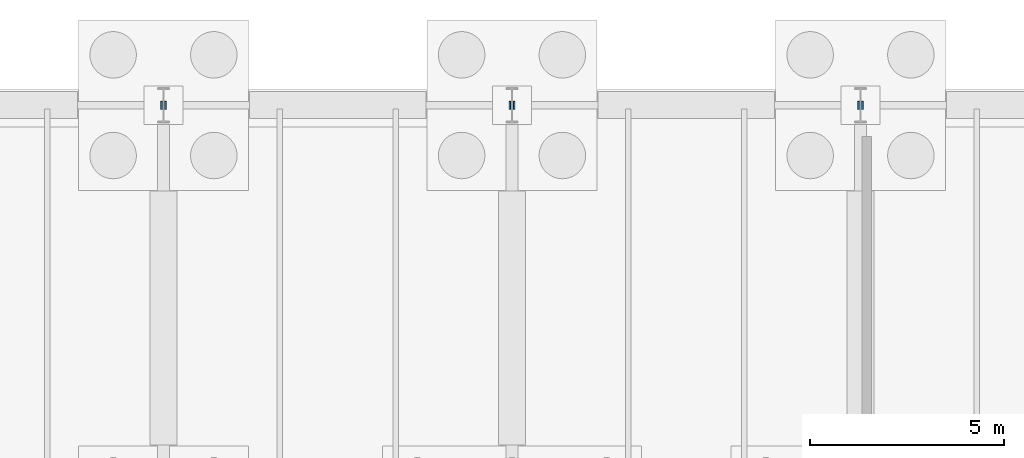
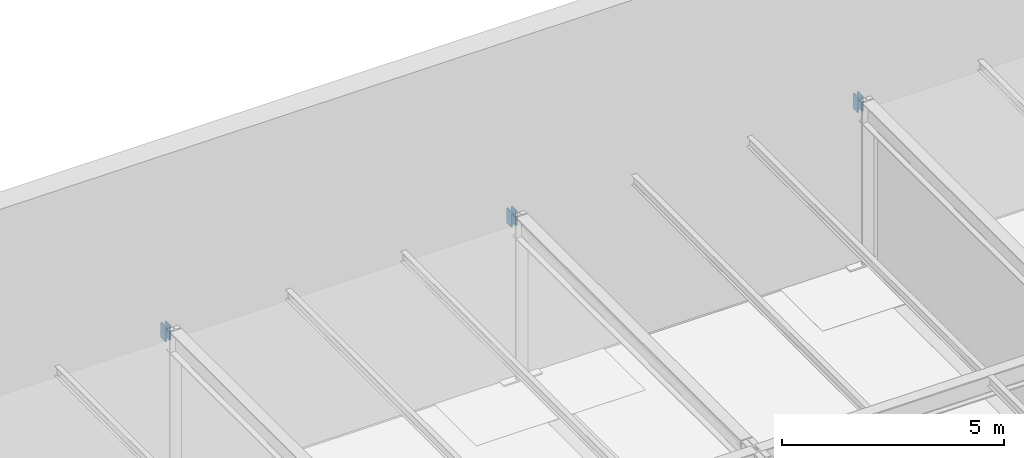
# One storey, part 15 of 19: 6 discrete accessories.
"""IFC4 building model written with IfcOpenShell, lengths in metres."""

from ifc_helpers import new_model, si_unit, direction, frame, origin, origin_2d, place, context, subcontext, project, spatial, rectangle, extrude, material, element, save


model = new_model("IFC4")

# Units and contexts
model_context = context("Model", 3, precision=1e-05, world=origin(), true_north=direction((0.0, 1.0)))
body_context = subcontext(model_context, "Body", "Model", "MODEL_VIEW")
ifc_project = project(units=[si_unit("LENGTHUNIT", "METRE"), si_unit("AREAUNIT", "SQUARE_METRE"), si_unit("VOLUMEUNIT", "CUBIC_METRE"), si_unit("PLANEANGLEUNIT", "RADIAN"), si_unit("MASSUNIT", "GRAM", prefix="KILO")], contexts=[model_context])

# Site, building, storey
site_placement = place(None, origin())
site = spatial("IfcSite", under=ifc_project, at=site_placement, CompositionType="ELEMENT")
building_placement = place(site_placement, origin())
building = spatial("IfcBuilding", under=site, at=building_placement, Name="Marlcrest Central Station", CompositionType="ELEMENT")
storey_placement = place(building_placement, frame((0.0, 0.0, -4.800048828125)))
storey = spatial("IfcBuildingStorey", under=building, at=storey_placement, Name="B1", CompositionType="ELEMENT", Elevation=-4.800048828125)

# Discrete accessories
ifc_material = material(Name="Steel S355", Category="steel")
for number, where, z_axis, x_axis, name in (
    (1, (35.925048828125, 132.0, 4.195068359375), (1.0, 0.0, 0.0), (0.0, 1.0, 0.0), "endcap-bm-SP-01-B1-00028-e"),
    (2, (36.03515625, 132.0, 4.195068359375), (1.0, 0.0, 0.0), (0.0, 1.0, 0.0), "endcap-bm-SP-01-B1-00029-s"),
    (3, (44.925048828125, 132.0, 4.195068359375), (1.0, 0.0, 0.0), (0.0, 1.0, 0.0), "endcap-bm-SP-01-B1-00029-e"),
    (4, (45.03515625, 132.0, 4.195068359375), (1.0, 0.0, 0.0), (0.0, 1.0, 0.0), "endcap-bm-SP-01-B1-00030-s"),
    (5, (53.925048828125, 132.0, 4.195068359375), (1.0, 0.0, 0.0), (0.0, 1.0, 0.0), "endcap-bm-SP-01-B1-00030-e"),
    (6, (54.03515625, 132.0, 4.195068359375), (1.0, 0.0, 0.0), (0.0, 1.0, 0.0), "endcap-bm-SP-01-B1-00031-s"),
):
    element("IfcDiscreteAccessory", number, at=place(storey_placement, frame(where, z_axis=z_axis, x_axis=x_axis)), inside=storey, material=ifc_material, Name=name, ObjectType="END_CAP_PLATE", PredefinedType="BRACKET", context=body_context, shape_type="SweptSolid", body=[
        extrude(rectangle(XDim=0.216064453125, YDim=0.416015625, at=origin_2d()), origin(), (0.0, 0.0, 1.0), 0.0400390625),
    ])

save(model, "model.ifc")
